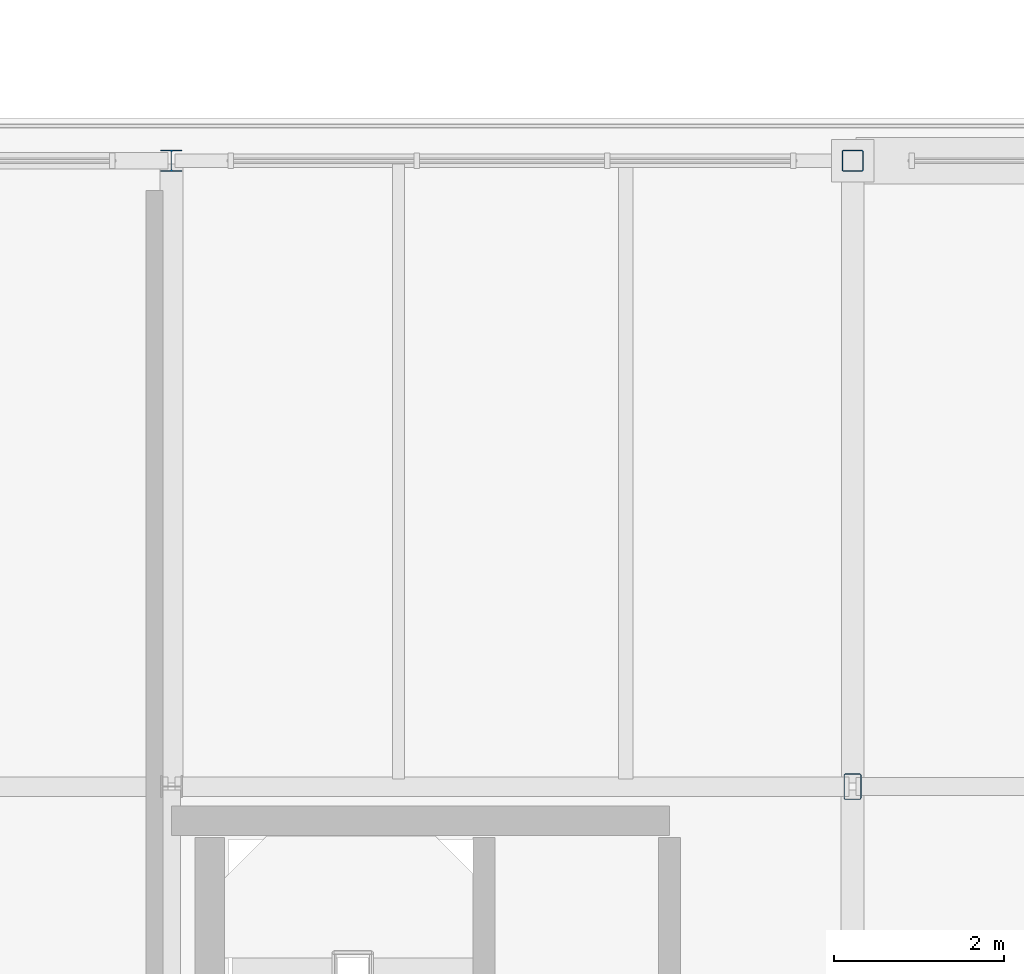
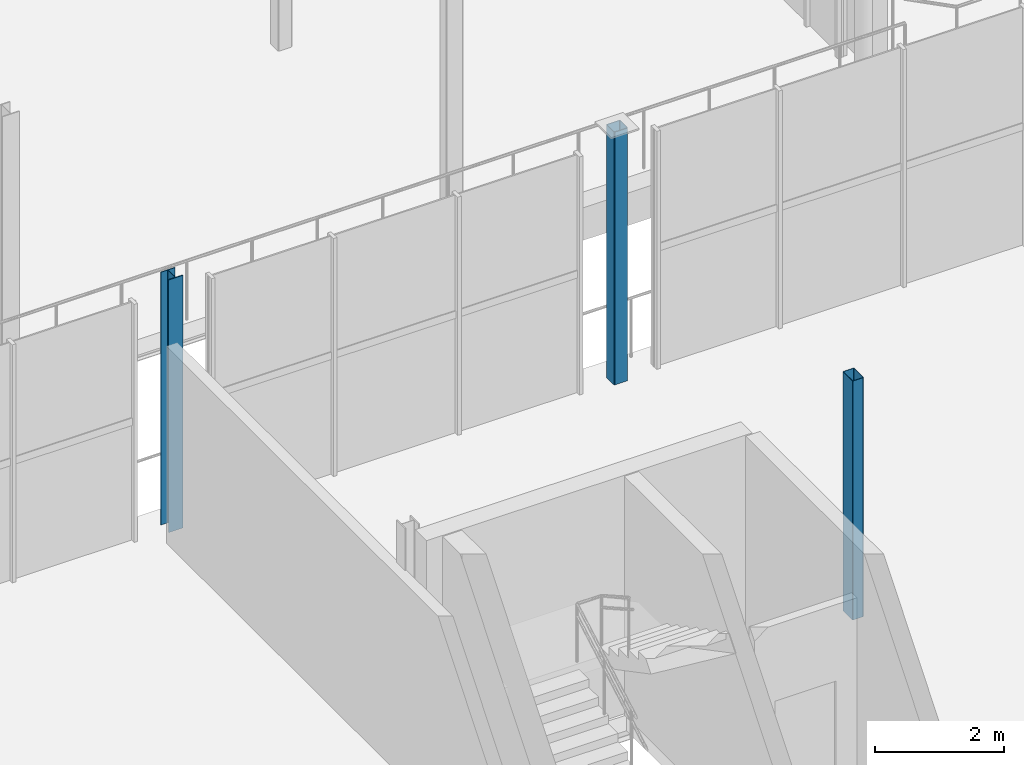
# One storey, part 12 of 93: 3 columns.
"""IFC4 building model written with IfcOpenShell, lengths in metres."""

from ifc_helpers import new_model, si_unit, direction, frame, origin, origin_2d, place, context, subcontext, project, spatial, hollow_rectangle, i_section, extrude, material, material_profile, profile_set, type_object, element, save


model = new_model("IFC4")

# Units and contexts
model_context = context("Model", 3, precision=1e-05, world=origin(), true_north=direction((0.0, 1.0)))
body_context = subcontext(model_context, "Body", "Model", "MODEL_VIEW")
ifc_project = project(units=[si_unit("LENGTHUNIT", "METRE"), si_unit("AREAUNIT", "SQUARE_METRE"), si_unit("VOLUMEUNIT", "CUBIC_METRE"), si_unit("PLANEANGLEUNIT", "RADIAN"), si_unit("MASSUNIT", "GRAM", prefix="KILO")], contexts=[model_context])

# Site, building, storey
site_placement = place(None, origin())
site = spatial("IfcSite", under=ifc_project, at=site_placement, CompositionType="ELEMENT")
building_placement = place(site_placement, origin())
building = spatial("IfcBuilding", under=site, at=building_placement, Name="Brisemont Oceanarium", CompositionType="ELEMENT")
storey_placement = place(building_placement, frame((0.0, 0.0, 5.39990234375)))
storey = spatial("IfcBuildingStorey", under=building, at=storey_placement, Name="L01", CompositionType="ELEMENT", Elevation=5.39990234375)

# Columns
ifc_material_1 = material(Name="Structural Steel ASTM A500 Gr.C", Category="steel")
ifc_material_profile_1 = material_profile(ifc_material_1, hollow_rectangle(XDim=0.25390625, YDim=0.25390625, WallThickness=0.01171875, InnerFilletRadius=0.01220703125, OuterFilletRadius=0.02392578125, at=origin_2d()), Name="HSS10X10X1/2")
ifc_profile_set_1 = profile_set([ifc_material_profile_1], Name="Structural Steel ASTM A500 Gr.C")
column_type_1 = type_object("IfcColumnType", Name="COL-HSS10X10", PredefinedType="COLUMN", material=ifc_profile_set_1)
column_1_placement = place(storey_placement, frame((136.0, 31.35009765625, 0.0), z_axis=(0.0, 0.0, 1.0), x_axis=(0.0, 1.0, 0.0)))
element("IfcColumn", 1, at=column_1_placement, inside=storey, type_object=column_type_1, Name="V3 L01 column (3,4)", PredefinedType="COLUMN", context=body_context, shape_type="SweptSolid", body=[
    extrude(hollow_rectangle(XDim=0.25390625, YDim=0.25390625, WallThickness=0.01171875, InnerFilletRadius=0.01220703125, OuterFilletRadius=0.02392578125, at=origin_2d()), origin(), (0.0, 0.0, 1.0), 4.800048828125),
])
ifc_material_2 = material(Name="Structural Steel ASTM A500 Gr.C", Category="steel")
ifc_material_profile_2 = material_profile(ifc_material_2, hollow_rectangle(XDim=0.202880859375, YDim=0.304931640625, WallThickness=0.0087890625, InnerFilletRadius=0.009033203125, OuterFilletRadius=0.01806640625, at=origin_2d()), Name="HSS12X8X3/8")
ifc_profile_set_2 = profile_set([ifc_material_profile_2], Name="Structural Steel ASTM A500 Gr.C")
column_type_2 = type_object("IfcColumnType", Name="COL-HSS12X8", PredefinedType="COLUMN", material=ifc_profile_set_2)
column_2_placement = place(storey_placement, frame((136.0, 24.0, 0.0), z_axis=(0.0, 0.0, 1.0), x_axis=(1.0, 0.0, 0.0)))
element("IfcColumn", 2, at=column_2_placement, inside=storey, type_object=column_type_2, Name="V3 L01 column (3,3)", PredefinedType="COLUMN", context=body_context, shape_type="SweptSolid", body=[
    extrude(hollow_rectangle(XDim=0.202880859375, YDim=0.304931640625, WallThickness=0.0087890625, InnerFilletRadius=0.009033203125, OuterFilletRadius=0.01806640625, at=origin_2d()), origin(), (0.0, 0.0, 1.0), 4.5400390625),
])
ifc_material_3 = material(Name="Structural Steel ASTM A992 Gr.50", Category="steel")
ifc_material_profile_3 = material_profile(ifc_material_3, i_section(OverallWidth=0.25390625, OverallDepth=0.25390625, WebThickness=0.008544921875, FlangeThickness=0.01416015625, FilletRadius=0.010986328125, at=origin_2d()), Name="W10X49")
ifc_profile_set_3 = profile_set([ifc_material_profile_3], Name="Structural Steel ASTM A992 Gr.50")
column_type_3 = type_object("IfcColumnType", Name="COL-W10X49", PredefinedType="COLUMN", material=ifc_profile_set_3)
column_3_placement = place(storey_placement, frame((128.0, 31.35009765625, 0.0), z_axis=(0.0, 0.0, 1.0), x_axis=(1.0, 0.0, 0.0)))
element("IfcColumn", 3, at=column_3_placement, inside=storey, type_object=column_type_3, Name="V3 L01 column (2,4)", PredefinedType="COLUMN", context=body_context, shape_type="SweptSolid", body=[
    extrude(i_section(OverallWidth=0.25390625, OverallDepth=0.25390625, WebThickness=0.008544921875, FlangeThickness=0.01416015625, FilletRadius=0.010986328125, at=origin_2d()), origin(), (0.0, 0.0, 1.0), 4.800048828125),
])

save(model, "model.ifc")
